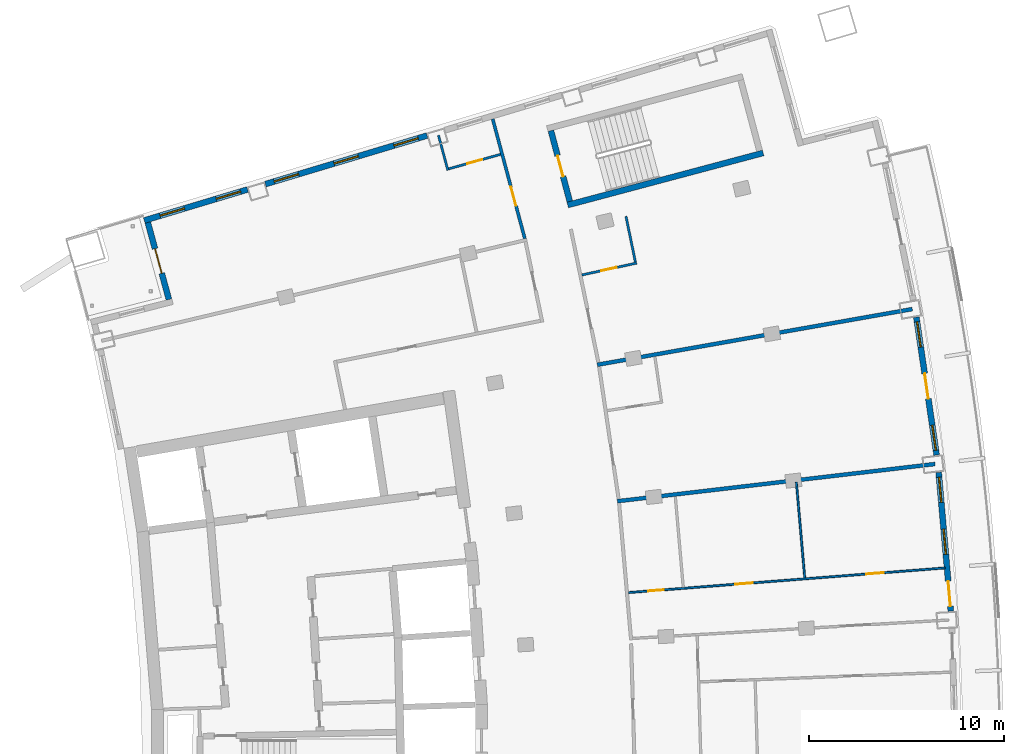
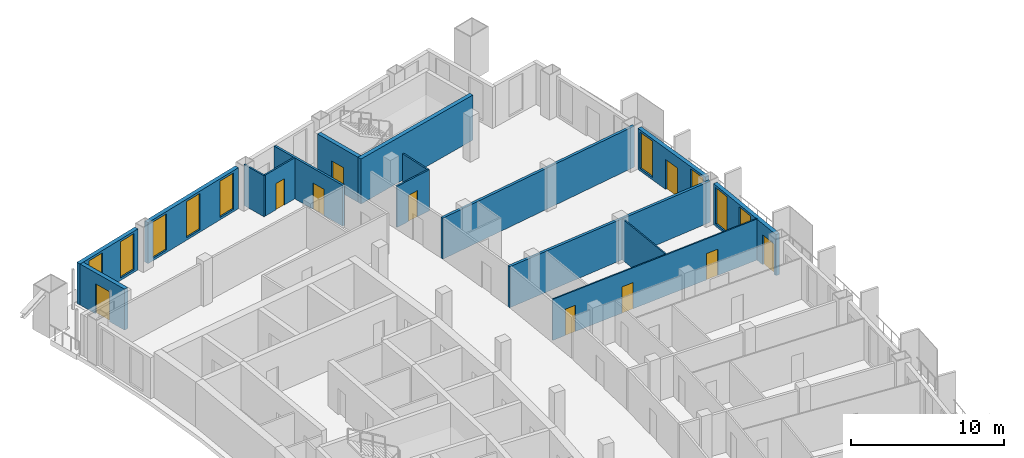
# One storey, part 14 of 18: 16 walls, 10 doors, 9 windows, 19 openings.
"""IFC4 building model written with IfcOpenShell, lengths in metres."""

import ifcopenshell
import ifcopenshell.guid

model = None  # the IFC model being written
_history = None  # IfcOwnerHistory: only IFC2X3 demands one
_inside = {}  # id of a spatial element -> (the spatial element, [elements in it])
_under = {}  # id of a project, library or spatial element -> (it, [spatial elements below it])
_declared = {}  # id of a project -> (the project, [libraries it declares])
_typed = {}  # id of a type object -> (the type object, [elements of that type])
_made_of = {}  # id of a material, layer set ... -> (it, [elements and type objects made of it])


def new_model(schema):
    """Start an empty IFC model of exactly this schema.

    Asked for "IFC4X3", IfcOpenShell would pick the latest addendum, in which some entities
    have other attributes; the version numbers below select the first issue.
    IFC2X3 requires an IfcOwnerHistory on every rooted entity: one is made here for all.
    """
    global model, _history
    if schema == "IFC4X3":
        model = ifcopenshell.file(schema_version=(4, 3, 0, 0))
    else:
        model = ifcopenshell.file(schema=schema)
    _inside.clear()
    _under.clear()
    _declared.clear()
    _typed.clear()
    _made_of.clear()
    _history = None
    if model.schema == "IFC2X3":
        org = make("IfcOrganization", Name="unknown")
        user = make(
            "IfcPersonAndOrganization",
            ThePerson=make("IfcPerson", FamilyName="unknown"),
            TheOrganization=org,
        )
        app = make(
            "IfcApplication",
            ApplicationDeveloper=org,
            Version="unknown",
            ApplicationFullName="unknown",
            ApplicationIdentifier="unknown",
        )
        _history = make(
            "IfcOwnerHistory",
            OwningUser=user,
            OwningApplication=app,
            ChangeAction="ADDED",
            CreationDate=0,
        )
    return model


def make(cls, **values):
    """One entity of the class cls with the attributes given. An attribute that is None is left unset."""
    return model.create_entity(
        cls, **{name: value for name, value in values.items() if value is not None}
    )


def rooted(cls, **values):
    """An entity with a GlobalId (a new one), such as an element, a storey or a relation."""
    return make(cls, GlobalId=ifcopenshell.guid.new(), OwnerHistory=_history, **values)


def si_unit(unit_type, name, prefix=None):
    """IfcSIUnit, for example si_unit("LENGTHUNIT", "METRE", prefix="MILLI")."""
    return make("IfcSIUnit", UnitType=unit_type, Prefix=prefix, Name=name)


def assignment(units):
    """IfcUnitAssignment: the units of a project."""
    return None if units is None else make("IfcUnitAssignment", Units=units)


def point(xyz):
    """IfcCartesianPoint."""
    return None if xyz is None else make("IfcCartesianPoint", Coordinates=xyz)


def direction(xyz):
    """IfcDirection."""
    return None if xyz is None else make("IfcDirection", DirectionRatios=xyz)


def frame(location, z_axis=None, x_axis=None):
    """IfcAxis2Placement3D, a coordinate frame: its origin and axes. An axis left out is left unset."""
    return make(
        "IfcAxis2Placement3D",
        Location=point(location),
        Axis=direction(z_axis),
        RefDirection=direction(x_axis),
    )


def frame_2d(location, x_axis=None):
    """IfcAxis2Placement2D, a coordinate frame in the plane: its origin and x axis."""
    return make(
        "IfcAxis2Placement2D", Location=point(location), RefDirection=direction(x_axis)
    )


def origin():
    """The frame at (0, 0, 0) with its axes left unset."""
    return frame((0.0, 0.0, 0.0))


def place(relative_to, where):
    """IfcLocalPlacement: puts the frame where relative to a parent placement (None: the world)."""
    return make(
        "IfcLocalPlacement", PlacementRelTo=relative_to, RelativePlacement=where
    )


def context(
    kind, dimensions, precision=None, world=None, true_north=None, identifier=None
):
    """IfcGeometricRepresentationContext, for example the 3D "Model" context."""
    return make(
        "IfcGeometricRepresentationContext",
        ContextIdentifier=identifier,
        ContextType=kind,
        CoordinateSpaceDimension=dimensions,
        Precision=precision,
        WorldCoordinateSystem=world,
        TrueNorth=true_north,
    )


def subcontext(parent, identifier, kind, view, scale=None):
    """IfcGeometricRepresentationSubContext, for example "Body" below "Model"."""
    return make(
        "IfcGeometricRepresentationSubContext",
        ContextIdentifier=identifier,
        ContextType=kind,
        ParentContext=parent,
        TargetScale=scale,
        TargetView=view,
    )


def project(units=None, contexts=None):
    """IfcProject with its units and contexts."""
    return rooted(
        "IfcProject",
        Name="project",
        RepresentationContexts=contexts,
        UnitsInContext=assignment(units),
    )


def spatial(cls, under=None, at=None, **own):
    """A site, building, storey or space (cls), placed at a placement, below another one or the project."""
    s = rooted(cls, ObjectPlacement=at, **own)
    if under is not None:
        _under.setdefault(under.id(), (under, []))[1].append(s)
    return s


def profile(cls, at=None, kind="AREA", **sizes):
    """A parametric profile (cls). Its sizes go by their IFC names, for example OverallWidth=200.0."""
    return make(cls, ProfileType=kind, Position=at, **sizes)


def rectangle(**sizes):
    """IfcRectangleProfileDef."""
    return profile("IfcRectangleProfileDef", **sizes)


def extrude(swept, where, along, depth):
    """IfcExtrudedAreaSolid: the profile swept, set in the frame where, extruded along a direction by depth."""
    return make(
        "IfcExtrudedAreaSolid",
        SweptArea=swept,
        Position=where,
        ExtrudedDirection=direction(along),
        Depth=depth,
    )


def shape(context_of_items, identifier, shape_type, items):
    """IfcShapeRepresentation: the items that make up one representation, for example the "Body"."""
    return make(
        "IfcShapeRepresentation",
        ContextOfItems=context_of_items,
        RepresentationIdentifier=identifier,
        RepresentationType=shape_type,
        Items=items,
    )


def material(Name=None, Category=None):
    """IfcMaterial."""
    return make("IfcMaterial", Name=Name, Category=Category)


def layer(
    of_material, thickness, ventilated=None, Name=None, Category=None, Priority=None
):
    """IfcMaterialLayer: one layer of a wall or slab, of a material (None: an air gap)."""
    return make(
        "IfcMaterialLayer",
        Material=of_material,
        LayerThickness=thickness,
        IsVentilated=ventilated,
        Name=Name,
        Category=Category,
        Priority=Priority,
    )


def layer_set(layers, Name=None):
    """IfcMaterialLayerSet."""
    return make("IfcMaterialLayerSet", MaterialLayers=layers, LayerSetName=Name)


def made_of(thing, what):
    """Note that an element or type object is made of a material, layer set ...; save() writes the relation."""
    if what is not None:
        _made_of.setdefault(what.id(), (what, []))[1].append(thing)
    return thing


def type_object(cls, material=None, **own):
    """A type object (cls), such as IfcWallType, which elements share."""
    return made_of(rooted(cls, **own), material)


def element(
    cls,
    number,
    at=None,
    inside=None,
    cuts=None,
    type_object=None,
    material=None,
    context=None,
    identifier="Body",
    shape_type=None,
    held_by="IfcProductDefinitionShape",
    body=None,
    shapes=None,
    **own,
):
    """One element of the class cls, such as IfcWall. Its Tag is "e" and its number.

    at: its placement. inside: the storey or other place that contains it. cuts: it is an
    opening in that element (IfcRelVoidsElement). A single representation is given by context,
    identifier, shape_type and body (its items); several are given by shapes. held_by: the class
    of the entity that holds the representations. save() writes the other relations.
    """
    e = rooted(cls, Tag="e%d" % number, ObjectPlacement=at, **own)
    if body is not None:
        shapes = [shape(context, identifier, shape_type, body)]
    if shapes is not None:
        e.Representation = make(held_by, Representations=shapes)
    if inside is not None:
        _inside.setdefault(inside.id(), (inside, []))[1].append(e)
    if cuts is not None:
        rooted(
            "IfcRelVoidsElement", RelatingBuildingElement=cuts, RelatedOpeningElement=e
        )
    if type_object is not None:
        _typed.setdefault(type_object.id(), (type_object, []))[1].append(e)
    return made_of(e, material)


def fill(opening, filler):
    """IfcRelFillsElement: the door or window that sits in an opening."""
    return rooted(
        "IfcRelFillsElement",
        RelatingOpeningElement=opening,
        RelatedBuildingElement=filler,
    )


def aggregate(whole, parts):
    """IfcRelAggregates: a whole, such as a stair, and the parts it consists of."""
    return rooted("IfcRelAggregates", RelatingObject=whole, RelatedObjects=parts)


def save(model, path):
    """Write the relations noted so far, then the file.

    IfcRelAggregates (storeys below a building ...), IfcRelContainedInSpatialStructure (elements
    in a storey), IfcRelDefinesByType, IfcRelAssociatesMaterial and IfcRelDeclares: one each for
    every whole, place, type object, material and project.
    """
    for whole, parts in _under.values():
        aggregate(whole, parts)
    for where, things in _inside.values():
        rooted(
            "IfcRelContainedInSpatialStructure",
            RelatedElements=things,
            RelatingStructure=where,
        )
    for kind, things in _typed.values():
        rooted("IfcRelDefinesByType", RelatedObjects=things, RelatingType=kind)
    for what, things in _made_of.values():
        rooted("IfcRelAssociatesMaterial", RelatedObjects=things, RelatingMaterial=what)
    for by, libraries in _declared.values():
        rooted("IfcRelDeclares", RelatingContext=by, RelatedDefinitions=libraries)
    model.write(path)


model = new_model("IFC4")

# Units and contexts
model_context = context("Model", 3, precision=1e-05, world=origin(), true_north=direction((0.0, 1.0)))
body_context = subcontext(model_context, "Body", "Model", "MODEL_VIEW")
ifc_project = project(units=[si_unit("LENGTHUNIT", "METRE"), si_unit("AREAUNIT", "SQUARE_METRE"), si_unit("VOLUMEUNIT", "CUBIC_METRE"), si_unit("PLANEANGLEUNIT", "RADIAN"), si_unit("MASSUNIT", "GRAM", prefix="KILO")], contexts=[model_context])

# Site, building, storey
site_placement = place(None, origin())
site = spatial("IfcSite", under=ifc_project, at=site_placement, CompositionType="ELEMENT")
building_placement = place(site_placement, origin())
building = spatial("IfcBuilding", under=site, at=building_placement, Name="Alderwake Tower", CompositionType="ELEMENT")
storey_placement = place(building_placement, frame((0.0, 0.0, 225.199951171875)))
storey = spatial("IfcBuildingStorey", under=building, at=storey_placement, Name="L56", CompositionType="ELEMENT", Elevation=225.199951171875)

# Wall
ifc_material_1 = material(Name="Concrete C70/85", Category="concrete")
ifc_layer_1 = layer(ifc_material_1, 0.300048828125)
ifc_layer_set_1 = layer_set([ifc_layer_1], Name="Core wall stair enclosure 300 C70-85")
wall_type_1 = type_object("IfcWallType", Name="Core wall stair enclosure 300 C70-85", PredefinedType="SHEAR", material=ifc_layer_set_1)
wall_1_placement = place(storey_placement, frame((37.75390625, 90.268798828125, 0.0), z_axis=(0.0, 0.0, 1.0), x_axis=(0.966309214305, 0.257383958996, 0.0)))
element("IfcWall", 1, at=wall_1_placement, inside=storey, type_object=wall_type_1, Name="Core wall CW.084", PredefinedType="SHEAR", context=body_context, shape_type="SweptSolid", body=[
    extrude(rectangle(XDim=10.360107421875, YDim=0.300048828125, at=frame_2d((5.18017578125, 0.0))), origin(), (0.0, 0.0, 1.0), 3.60009765625),
])

# Wall, opening, door
wall_2_placement = place(storey_placement, frame((37.8603515625, 90.452392578125, 0.0), z_axis=(0.0, 0.0, 1.0), x_axis=(-0.257411420208, 0.966301899381, 0.0)))
wall_2 = element("IfcWall", 2, at=wall_2_placement, inside=storey, type_object=wall_type_1, Name="Core wall CW.083", PredefinedType="SHEAR", context=body_context, shape_type="SweptSolid", body=[
    extrude(rectangle(XDim=3.750244140625, YDim=0.300048828125, at=frame_2d((1.875, 0.0))), origin(), (0.0, 0.0, 1.0), 3.60009765625),
])
opening_1_placement = place(wall_2_placement, frame((1.324951171875, 0.0, 0.0)))
opening_1 = element("IfcOpeningElement", 3, at=opening_1_placement, cuts=wall_2, Name="Opening C062", PredefinedType="OPENING", context=body_context, shape_type="SweptSolid", body=[
    extrude(rectangle(XDim=1.10009765625, YDim=2.10009765625, at=frame_2d((0.550048828125, 1.050048828125))), frame((0.0, 0.159912109375, 0.0), z_axis=(0.0, -1.0, 0.0), x_axis=(1.0, 0.0, 0.0)), (0.0, 0.0, 1.0), 0.320068359375),
])
ifc_material_2 = material(Name="Steel-framed fire door leaf", Category="steel")
door_type_1 = type_object("IfcDoorType", Name="Core stair door 1100 fire-rated", OperationType="SINGLE_SWING_LEFT", PredefinedType="DOOR", material=ifc_material_2)
door_1_placement = place(opening_1_placement, origin())
door_1 = element("IfcDoor", 4, at=door_1_placement, inside=storey, type_object=door_type_1, Name="Stair door", OperationType="SINGLE_SWING_LEFT", OverallHeight=2.10009765625, OverallWidth=1.10009765625, PredefinedType="DOOR", context=body_context, shape_type="SweptSolid", body=[
    extrude(rectangle(XDim=1.10009765625, YDim=2.10009765625, at=frame_2d((0.550048828125, 1.050048828125))), frame((0.0, 0.02490234375, 0.0), z_axis=(0.0, -1.0, 0.0), x_axis=(1.0, 0.0, 0.0)), (0.0, 0.0, 1.0), 0.050048828125),
])
fill(opening_1, door_1)

ifc_material_3 = material(Name="Gypsum board on metal studs, rated")
ifc_layer_2 = layer(ifc_material_3, 0.159912109375)
ifc_layer_set_2 = layer_set([ifc_layer_2], Name="Corridor wall 160")
wall_type_2 = type_object("IfcWallType", Name="Corridor wall 160", PredefinedType="PARTITIONING", material=ifc_layer_set_2)
wall_3_placement = place(storey_placement, frame((35.55908203125, 88.54736328125, 0.0), z_axis=(0.0, 0.0, 1.0), x_axis=(-0.259486497004, 0.965746735885, 0.0)))
wall_3 = element("IfcWall", 5, at=wall_3_placement, inside=storey, type_object=wall_type_2, Name="WL/L56/W17", PredefinedType="PARTITIONING", context=body_context, shape_type="SweptSolid", body=[
    extrude(rectangle(XDim=6.346923828125, YDim=0.159912109375, at=frame_2d((3.17333984375, 0.0))), origin(), (0.0, 0.0, 1.0), 3.280029296875),
])
opening_2_placement = place(wall_3_placement, frame((1.74609375, 0.0, 0.0)))
opening_2 = element("IfcOpeningElement", 6, at=opening_2_placement, cuts=wall_3, Name="Opening R16-U10.1", PredefinedType="OPENING", context=body_context, shape_type="SweptSolid", body=[
    extrude(rectangle(XDim=1.0, YDim=2.10009765625, at=frame_2d((0.5, 1.050048828125))), frame((0.0, 0.08984375, 0.0), z_axis=(0.0, -1.0, 0.0), x_axis=(1.0, 0.0, 0.0)), (0.0, 0.0, 1.0), 0.179931640625),
])
ifc_material_4 = material(Name="Solid timber leaf in steel frame", Category="steel")
door_type_2 = type_object("IfcDoorType", Name="Flat entrance door 1000 fire-rated", OperationType="SINGLE_SWING_LEFT", PredefinedType="DOOR", material=ifc_material_4)
door_2_placement = place(opening_2_placement, origin())
door_2 = element("IfcDoor", 7, at=door_2_placement, inside=storey, type_object=door_type_2, Name="DR/L56/U10.1", OperationType="SINGLE_SWING_LEFT", OverallHeight=2.10009765625, OverallWidth=1.0, PredefinedType="DOOR", context=body_context, shape_type="SweptSolid", body=[
    extrude(rectangle(XDim=1.0, YDim=2.10009765625, at=frame_2d((0.5, 1.050048828125))), frame((0.0, 0.02490234375, 0.0), z_axis=(0.0, -1.0, 0.0), x_axis=(1.0, 0.0, 0.0)), (0.0, 0.0, 1.0), 0.050048828125),
])
fill(opening_2, door_2)

# Wall, openings, door, windows
ifc_material_5 = material(Name="Precast concrete C50/60 spandrel panel", Category="concrete")
ifc_layer_3 = layer(ifc_material_5, 0.300048828125)
ifc_layer_set_3 = layer_set([ifc_layer_3], Name="External wall EW1 Precast concrete C50/60 spandrel")
wall_type_3 = type_object("IfcWallType", Name="External wall EW1 Precast concrete C50/60 spandrel", PredefinedType="SOLIDWALL", material=ifc_layer_set_3)
wall_4_placement = place(storey_placement, frame((57.376708984375, 69.470703125, 0.0), z_axis=(0.0, 0.0, 1.0), x_axis=(-0.087372427007, 0.996175716929, 0.0)))
wall_4 = element("IfcWall", 8, at=wall_4_placement, inside=storey, type_object=wall_type_3, Name="External wall 17", PredefinedType="SOLIDWALL", context=body_context, shape_type="SweptSolid", body=[
    extrude(rectangle(XDim=7.1337890625, YDim=0.300048828125, at=frame_2d((3.56689453125, 0.0))), origin(), (0.0, 0.0, 1.0), 3.280029296875),
])
opening_3_placement = place(wall_4_placement, frame((0.24560546875, 0.0, 0.0)))
opening_3 = element("IfcOpeningElement", 9, at=opening_3_placement, cuts=wall_4, Name="Opening D06", PredefinedType="OPENING", context=body_context, shape_type="SweptSolid", body=[
    extrude(rectangle(XDim=1.300048828125, YDim=2.39990234375, at=frame_2d((0.64990234375, 1.199951171875))), frame((0.0, 0.159912109375, 0.0), z_axis=(0.0, -1.0, 0.0), x_axis=(1.0, 0.0, 0.0)), (0.0, 0.0, 1.0), 0.320068359375),
])
opening_4_placement = place(wall_4_placement, frame((2.916748046875, 0.0, 0.199951171875)))
opening_4 = element("IfcOpeningElement", 10, at=opening_4_placement, cuts=wall_4, Name="Opening W1", PredefinedType="OPENING", context=body_context, shape_type="SweptSolid", body=[
    extrude(rectangle(XDim=1.300048828125, YDim=2.89990234375, at=frame_2d((0.64990234375, 1.449951171875))), frame((0.0, 0.159912109375, 0.0), z_axis=(0.0, -1.0, 0.0), x_axis=(1.0, 0.0, 0.0)), (0.0, 0.0, 1.0), 0.320068359375),
])
opening_5_placement = place(wall_4_placement, frame((5.588134765625, 0.0, 0.199951171875)))
opening_5 = element("IfcOpeningElement", 11, at=opening_5_placement, cuts=wall_4, Name="Opening W1", PredefinedType="OPENING", context=body_context, shape_type="SweptSolid", body=[
    extrude(rectangle(XDim=1.300048828125, YDim=2.89990234375, at=frame_2d((0.64990234375, 1.449951171875))), frame((0.0, 0.159912109375, 0.0), z_axis=(0.0, -1.0, 0.0), x_axis=(1.0, 0.0, 0.0)), (0.0, 0.0, 1.0), 0.320068359375),
])
ifc_material_6 = material(Name="Bronze tinted glass in aluminium frame", Category="aluminium")
door_type_3 = type_object("IfcDoorType", Name="Balcony door BD sliding", OperationType="SLIDING_TO_LEFT", PredefinedType="DOOR", material=ifc_material_6)
door_3_placement = place(opening_3_placement, origin())
door_3 = element("IfcDoor", 12, at=door_3_placement, inside=storey, type_object=door_type_3, Name="Door D06", OperationType="SLIDING_TO_LEFT", OverallHeight=2.39990234375, OverallWidth=1.300048828125, PredefinedType="DOOR", context=body_context, shape_type="SweptSolid", body=[
    extrude(rectangle(XDim=1.300048828125, YDim=2.39990234375, at=frame_2d((0.64990234375, 1.199951171875))), frame((0.0, 0.02490234375, 0.0), z_axis=(0.0, -1.0, 0.0), x_axis=(1.0, 0.0, 0.0)), (0.0, 0.0, 1.0), 0.050048828125),
])
fill(opening_3, door_3)
ifc_material_7 = material(Name="Bronze tinted glass in aluminium frame", Category="aluminium")
window_type = type_object("IfcWindowType", Name="Window W1 tall fixed and vent", PartitioningType="DOUBLE_PANEL_VERTICAL", PredefinedType="WINDOW", material=ifc_material_7)
window_1_placement = place(opening_4_placement, origin())
window_1 = element("IfcWindow", 13, at=window_1_placement, inside=storey, type_object=window_type, Name="Window W1 tall fixed and vent", OverallHeight=2.89990234375, OverallWidth=1.300048828125, PartitioningType="DOUBLE_PANEL_VERTICAL", PredefinedType="WINDOW", context=body_context, shape_type="SweptSolid", body=[
    extrude(rectangle(XDim=1.300048828125, YDim=2.89990234375, at=frame_2d((0.64990234375, 1.449951171875))), frame((0.0, 0.030029296875, 0.0), z_axis=(0.0, -1.0, 0.0), x_axis=(1.0, 0.0, 0.0)), (0.0, 0.0, 1.0), 0.06005859375),
])
fill(opening_4, window_1)
window_2_placement = place(opening_5_placement, origin())
window_2 = element("IfcWindow", 14, at=window_2_placement, inside=storey, type_object=window_type, Name="Window W1 tall fixed and vent", OverallHeight=2.89990234375, OverallWidth=1.300048828125, PartitioningType="DOUBLE_PANEL_VERTICAL", PredefinedType="WINDOW", context=body_context, shape_type="SweptSolid", body=[
    extrude(rectangle(XDim=1.300048828125, YDim=2.89990234375, at=frame_2d((0.64990234375, 1.449951171875))), frame((0.0, 0.030029296875, 0.0), z_axis=(0.0, -1.0, 0.0), x_axis=(1.0, 0.0, 0.0)), (0.0, 0.0, 1.0), 0.06005859375),
])
fill(opening_5, window_2)

wall_5_placement = place(storey_placement, frame((56.649169921875, 77.465576171875, 0.0), z_axis=(0.0, 0.0, 1.0), x_axis=(-0.14531565173, 0.989385345233, 0.0)))
wall_5 = element("IfcWall", 15, at=wall_5_placement, inside=storey, type_object=wall_type_3, Name="External wall 18", PredefinedType="SOLIDWALL", context=body_context, shape_type="SweptSolid", body=[
    extrude(rectangle(XDim=7.133544921875, YDim=0.300048828125, at=frame_2d((3.56689453125, 0.0))), origin(), (0.0, 0.0, 1.0), 3.280029296875),
])
opening_6_placement = place(wall_5_placement, frame((0.24560546875, 0.0, 0.199951171875)))
opening_6 = element("IfcOpeningElement", 16, at=opening_6_placement, cuts=wall_5, Name="Opening W1", PredefinedType="OPENING", context=body_context, shape_type="SweptSolid", body=[
    extrude(rectangle(XDim=1.300048828125, YDim=2.89990234375, at=frame_2d((0.64990234375, 1.449951171875))), frame((0.0, 0.159912109375, 0.0), z_axis=(0.0, -1.0, 0.0), x_axis=(1.0, 0.0, 0.0)), (0.0, 0.0, 1.0), 0.320068359375),
])
opening_7_placement = place(wall_5_placement, frame((2.916748046875, 0.0, 0.0)))
opening_7 = element("IfcOpeningElement", 17, at=opening_7_placement, cuts=wall_5, Name="Opening D07", PredefinedType="OPENING", context=body_context, shape_type="SweptSolid", body=[
    extrude(rectangle(XDim=1.300048828125, YDim=2.39990234375, at=frame_2d((0.64990234375, 1.199951171875))), frame((0.0, 0.159912109375, 0.0), z_axis=(0.0, -1.0, 0.0), x_axis=(1.0, 0.0, 0.0)), (0.0, 0.0, 1.0), 0.320068359375),
])
opening_8_placement = place(wall_5_placement, frame((5.588134765625, 0.0, 0.199951171875)))
opening_8 = element("IfcOpeningElement", 18, at=opening_8_placement, cuts=wall_5, Name="Opening W1", PredefinedType="OPENING", context=body_context, shape_type="SweptSolid", body=[
    extrude(rectangle(XDim=1.300048828125, YDim=2.89990234375, at=frame_2d((0.64990234375, 1.449951171875))), frame((0.0, 0.159912109375, 0.0), z_axis=(0.0, -1.0, 0.0), x_axis=(1.0, 0.0, 0.0)), (0.0, 0.0, 1.0), 0.320068359375),
])
door_4_placement = place(opening_7_placement, origin())
door_4 = element("IfcDoor", 19, at=door_4_placement, inside=storey, type_object=door_type_3, Name="Door D07", OperationType="SLIDING_TO_LEFT", OverallHeight=2.39990234375, OverallWidth=1.300048828125, PredefinedType="DOOR", context=body_context, shape_type="SweptSolid", body=[
    extrude(rectangle(XDim=1.300048828125, YDim=2.39990234375, at=frame_2d((0.64990234375, 1.199951171875))), frame((0.0, 0.02490234375, 0.0), z_axis=(0.0, -1.0, 0.0), x_axis=(1.0, 0.0, 0.0)), (0.0, 0.0, 1.0), 0.050048828125),
])
fill(opening_7, door_4)
window_3_placement = place(opening_6_placement, origin())
window_3 = element("IfcWindow", 20, at=window_3_placement, inside=storey, type_object=window_type, Name="Window W1 tall fixed and vent", OverallHeight=2.89990234375, OverallWidth=1.300048828125, PartitioningType="DOUBLE_PANEL_VERTICAL", PredefinedType="WINDOW", context=body_context, shape_type="SweptSolid", body=[
    extrude(rectangle(XDim=1.300048828125, YDim=2.89990234375, at=frame_2d((0.64990234375, 1.449951171875))), frame((0.0, 0.030029296875, 0.0), z_axis=(0.0, -1.0, 0.0), x_axis=(1.0, 0.0, 0.0)), (0.0, 0.0, 1.0), 0.06005859375),
])
fill(opening_6, window_3)
window_4_placement = place(opening_8_placement, origin())
window_4 = element("IfcWindow", 21, at=window_4_placement, inside=storey, type_object=window_type, Name="Window W1 tall fixed and vent", OverallHeight=2.89990234375, OverallWidth=1.300048828125, PartitioningType="DOUBLE_PANEL_VERTICAL", PredefinedType="WINDOW", context=body_context, shape_type="SweptSolid", body=[
    extrude(rectangle(XDim=1.300048828125, YDim=2.89990234375, at=frame_2d((0.64990234375, 1.449951171875))), frame((0.0, 0.030029296875, 0.0), z_axis=(0.0, -1.0, 0.0), x_axis=(1.0, 0.0, 0.0)), (0.0, 0.0, 1.0), 0.06005859375),
])
fill(opening_8, window_4)

# Wall, openings, windows
ifc_material_8 = material(Name="Bronze metal cladding on lightweight framing")
ifc_layer_4 = layer(ifc_material_8, 0.300048828125)
ifc_layer_set_4 = layer_set([ifc_layer_4], Name="External wall EW2 bronze metal cladding")
wall_type_4 = type_object("IfcWallType", Name="External wall EW2 bronze metal cladding", PredefinedType="SOLIDWALL", material=ifc_layer_set_4)
wall_6_placement = place(storey_placement, frame((30.551513671875, 93.8251953125, 0.0), z_axis=(0.0, 0.0, 1.0), x_axis=(-0.957767198916, -0.287544766394, 0.0)))
wall_6 = element("IfcWall", 22, at=wall_6_placement, inside=storey, type_object=wall_type_4, Name="External wall 26", PredefinedType="SOLIDWALL", context=body_context, shape_type="SweptSolid", body=[
    extrude(rectangle(XDim=8.64599609375, YDim=0.300048828125, at=frame_2d((4.322998046875, 0.0))), origin(), (0.0, 0.0, 1.0), 3.280029296875),
])
opening_9_placement = place(wall_6_placement, frame((0.47314453125, 0.0, 0.199951171875)))
opening_9 = element("IfcOpeningElement", 23, at=opening_9_placement, cuts=wall_6, Name="Opening W1", PredefinedType="OPENING", context=body_context, shape_type="SweptSolid", body=[
    extrude(rectangle(XDim=1.300048828125, YDim=2.89990234375, at=frame_2d((0.64990234375, 1.449951171875))), frame((0.0, 0.159912109375, 0.0), z_axis=(0.0, -1.0, 0.0), x_axis=(1.0, 0.0, 0.0)), (0.0, 0.0, 1.0), 0.320068359375),
])
opening_10_placement = place(wall_6_placement, frame((3.673095703125, 0.0, 0.199951171875)))
opening_10 = element("IfcOpeningElement", 24, at=opening_10_placement, cuts=wall_6, Name="Opening W1", PredefinedType="OPENING", context=body_context, shape_type="SweptSolid", body=[
    extrude(rectangle(XDim=1.300048828125, YDim=2.89990234375, at=frame_2d((0.64990234375, 1.449951171875))), frame((0.0, 0.159912109375, 0.0), z_axis=(0.0, -1.0, 0.0), x_axis=(1.0, 0.0, 0.0)), (0.0, 0.0, 1.0), 0.320068359375),
])
opening_11_placement = place(wall_6_placement, frame((6.873291015625, 0.0, 0.199951171875)))
opening_11 = element("IfcOpeningElement", 25, at=opening_11_placement, cuts=wall_6, Name="Opening W1", PredefinedType="OPENING", context=body_context, shape_type="SweptSolid", body=[
    extrude(rectangle(XDim=1.300048828125, YDim=2.89990234375, at=frame_2d((0.64990234375, 1.449951171875))), frame((0.0, 0.159912109375, 0.0), z_axis=(0.0, -1.0, 0.0), x_axis=(1.0, 0.0, 0.0)), (0.0, 0.0, 1.0), 0.320068359375),
])
window_5_placement = place(opening_9_placement, origin())
window_5 = element("IfcWindow", 26, at=window_5_placement, inside=storey, type_object=window_type, Name="Window W1 tall fixed and vent", OverallHeight=2.89990234375, OverallWidth=1.300048828125, PartitioningType="DOUBLE_PANEL_VERTICAL", PredefinedType="WINDOW", context=body_context, shape_type="SweptSolid", body=[
    extrude(rectangle(XDim=1.300048828125, YDim=2.89990234375, at=frame_2d((0.64990234375, 1.449951171875))), frame((0.0, 0.030029296875, 0.0), z_axis=(0.0, -1.0, 0.0), x_axis=(1.0, 0.0, 0.0)), (0.0, 0.0, 1.0), 0.06005859375),
])
fill(opening_9, window_5)
window_6_placement = place(opening_10_placement, origin())
window_6 = element("IfcWindow", 27, at=window_6_placement, inside=storey, type_object=window_type, Name="Window W1 tall fixed and vent", OverallHeight=2.89990234375, OverallWidth=1.300048828125, PartitioningType="DOUBLE_PANEL_VERTICAL", PredefinedType="WINDOW", context=body_context, shape_type="SweptSolid", body=[
    extrude(rectangle(XDim=1.300048828125, YDim=2.89990234375, at=frame_2d((0.64990234375, 1.449951171875))), frame((0.0, 0.030029296875, 0.0), z_axis=(0.0, -1.0, 0.0), x_axis=(1.0, 0.0, 0.0)), (0.0, 0.0, 1.0), 0.06005859375),
])
fill(opening_10, window_6)
window_7_placement = place(opening_11_placement, origin())
window_7 = element("IfcWindow", 28, at=window_7_placement, inside=storey, type_object=window_type, Name="Window W1 tall fixed and vent", OverallHeight=2.89990234375, OverallWidth=1.300048828125, PartitioningType="DOUBLE_PANEL_VERTICAL", PredefinedType="WINDOW", context=body_context, shape_type="SweptSolid", body=[
    extrude(rectangle(XDim=1.300048828125, YDim=2.89990234375, at=frame_2d((0.64990234375, 1.449951171875))), frame((0.0, 0.030029296875, 0.0), z_axis=(0.0, -1.0, 0.0), x_axis=(1.0, 0.0, 0.0)), (0.0, 0.0, 1.0), 0.06005859375),
])
fill(opening_11, window_7)

wall_7_placement = place(storey_placement, frame((21.356689453125, 91.064697265625, 0.0), z_axis=(0.0, 0.0, 1.0), x_axis=(-0.957772749247, -0.287526278451, 0.0)))
wall_7 = element("IfcWall", 29, at=wall_7_placement, inside=storey, type_object=wall_type_4, Name="External wall 27", PredefinedType="SOLIDWALL", context=body_context, shape_type="SweptSolid", body=[
    extrude(rectangle(XDim=5.524169921875, YDim=0.300048828125, at=frame_2d((2.76220703125, 0.0))), origin(), (0.0, 0.0, 1.0), 3.280029296875),
])
opening_12_placement = place(wall_7_placement, frame((0.373291015625, 0.0, 0.199951171875)))
opening_12 = element("IfcOpeningElement", 30, at=opening_12_placement, cuts=wall_7, Name="Opening W1", PredefinedType="OPENING", context=body_context, shape_type="SweptSolid", body=[
    extrude(rectangle(XDim=1.300048828125, YDim=2.89990234375, at=frame_2d((0.64990234375, 1.449951171875))), frame((0.0, 0.159912109375, 0.0), z_axis=(0.0, -1.0, 0.0), x_axis=(1.0, 0.0, 0.0)), (0.0, 0.0, 1.0), 0.320068359375),
])
opening_13_placement = place(wall_7_placement, frame((3.3740234375, 0.0, 0.199951171875)))
opening_13 = element("IfcOpeningElement", 31, at=opening_13_placement, cuts=wall_7, Name="Opening W1", PredefinedType="OPENING", context=body_context, shape_type="SweptSolid", body=[
    extrude(rectangle(XDim=1.300048828125, YDim=2.89990234375, at=frame_2d((0.64990234375, 1.449951171875))), frame((0.0, 0.159912109375, 0.0), z_axis=(0.0, -1.0, 0.0), x_axis=(1.0, 0.0, 0.0)), (0.0, 0.0, 1.0), 0.320068359375),
])
window_8_placement = place(opening_12_placement, origin())
window_8 = element("IfcWindow", 32, at=window_8_placement, inside=storey, type_object=window_type, Name="Window W1 tall fixed and vent", OverallHeight=2.89990234375, OverallWidth=1.300048828125, PartitioningType="DOUBLE_PANEL_VERTICAL", PredefinedType="WINDOW", context=body_context, shape_type="SweptSolid", body=[
    extrude(rectangle(XDim=1.300048828125, YDim=2.89990234375, at=frame_2d((0.64990234375, 1.449951171875))), frame((0.0, 0.030029296875, 0.0), z_axis=(0.0, -1.0, 0.0), x_axis=(1.0, 0.0, 0.0)), (0.0, 0.0, 1.0), 0.06005859375),
])
fill(opening_12, window_8)
window_9_placement = place(opening_13_placement, origin())
window_9 = element("IfcWindow", 33, at=window_9_placement, inside=storey, type_object=window_type, Name="Window W1 tall fixed and vent", OverallHeight=2.89990234375, OverallWidth=1.300048828125, PartitioningType="DOUBLE_PANEL_VERTICAL", PredefinedType="WINDOW", context=body_context, shape_type="SweptSolid", body=[
    extrude(rectangle(XDim=1.300048828125, YDim=2.89990234375, at=frame_2d((0.64990234375, 1.449951171875))), frame((0.0, 0.030029296875, 0.0), z_axis=(0.0, -1.0, 0.0), x_axis=(1.0, 0.0, 0.0)), (0.0, 0.0, 1.0), 0.06005859375),
])
fill(opening_13, window_9)

# Wall, opening, door
wall_8_placement = place(storey_placement, frame((16.248779296875, 89.374755859375, 0.0), z_axis=(0.0, 0.0, 1.0), x_axis=(0.264607053468, -0.964356317579, 0.0)))
wall_8 = element("IfcWall", 34, at=wall_8_placement, inside=storey, type_object=wall_type_4, Name="External wall 28", PredefinedType="SOLIDWALL", context=body_context, shape_type="SweptSolid", body=[
    extrude(rectangle(XDim=4.090087890625, YDim=0.300048828125, at=frame_2d((2.044921875, 0.0))), origin(), (0.0, 0.0, 1.0), 3.280029296875),
])
opening_14_placement = place(wall_8_placement, frame((1.39501953125, 0.0, 0.0)))
opening_14 = element("IfcOpeningElement", 35, at=opening_14_placement, cuts=wall_8, Name="Opening D09", PredefinedType="OPENING", context=body_context, shape_type="SweptSolid", body=[
    extrude(rectangle(XDim=1.300048828125, YDim=2.39990234375, at=frame_2d((0.64990234375, 1.199951171875))), frame((0.0, 0.159912109375, 0.0), z_axis=(0.0, -1.0, 0.0), x_axis=(1.0, 0.0, 0.0)), (0.0, 0.0, 1.0), 0.320068359375),
])
door_5_placement = place(opening_14_placement, origin())
door_5 = element("IfcDoor", 36, at=door_5_placement, inside=storey, type_object=door_type_3, Name="Door D09", OperationType="SLIDING_TO_LEFT", OverallHeight=2.39990234375, OverallWidth=1.300048828125, PredefinedType="DOOR", context=body_context, shape_type="SweptSolid", body=[
    extrude(rectangle(XDim=1.300048828125, YDim=2.39990234375, at=frame_2d((0.64990234375, 1.199951171875))), frame((0.0, 0.02490234375, 0.0), z_axis=(0.0, -1.0, 0.0), x_axis=(1.0, 0.0, 0.0)), (0.0, 0.0, 1.0), 0.050048828125),
])
fill(opening_14, door_5)

# Walls
ifc_material_9 = material(Name="Dense block masonry wall", Category="masonry")
ifc_layer_5 = layer(ifc_material_9, 0.199951171875)
ifc_layer_set_5 = layer_set([ifc_layer_5], Name="Party wall 200")
wall_type_5 = type_object("IfcWallType", Name="Party wall 200", PredefinedType="SOLIDWALL", material=ifc_layer_set_5)
wall_9_placement = place(storey_placement, frame((40.297607421875, 75.0986328125, 0.0), z_axis=(0.0, 0.0, 1.0), x_axis=(0.993210909996, 0.116327504339, 0.0)))
element("IfcWall", 37, at=wall_9_placement, inside=storey, type_object=wall_type_5, Name="WL/L56/W01", PredefinedType="SOLIDWALL", context=body_context, shape_type="SweptSolid", body=[
    extrude(rectangle(XDim=16.37841796875, YDim=0.199951171875, at=frame_2d((8.189208984375, 0.0))), origin(), (0.0, 0.0, 1.0), 3.280029296875),
])
wall_10_placement = place(storey_placement, frame((55.40087890625, 84.93896484375, 0.0), z_axis=(0.0, 0.0, 1.0), x_axis=(-0.984730701912, -0.174084590678, 0.0)))
element("IfcWall", 38, at=wall_10_placement, inside=storey, type_object=wall_type_5, Name="WL/L56/W02", PredefinedType="SOLIDWALL", context=body_context, shape_type="SweptSolid", body=[
    extrude(rectangle(XDim=16.3818359375, YDim=0.199951171875, at=frame_2d((8.19091796875, 0.0))), origin(), (0.0, 0.0, 1.0), 3.280029296875),
])

# Wall, openings, doors
ifc_material_10 = material(Name="Gypsum board on metal studs")
ifc_layer_6 = layer(ifc_material_10, 0.10009765625)
ifc_layer_set_6 = layer_set([ifc_layer_6], Name="Unit partition 100")
wall_type_6 = type_object("IfcWallType", Name="Unit partition 100", PredefinedType="PARTITIONING", material=ifc_layer_set_6)
wall_11_placement = place(storey_placement, frame((40.867919921875, 70.419189453125, 0.0), z_axis=(0.0, 0.0, 1.0), x_axis=(0.996981000907, 0.077645887405, 0.0)))
wall_11 = element("IfcWall", 39, at=wall_11_placement, inside=storey, type_object=wall_type_6, Name="WL/L56/W48", PredefinedType="PARTITIONING", context=body_context, shape_type="SweptSolid", body=[
    extrude(rectangle(XDim=16.26220703125, YDim=0.10009765625, at=frame_2d((8.131103515625, 0.0))), origin(), (0.0, 0.0, 1.0), 3.280029296875),
])
opening_15_placement = place(wall_11_placement, frame((5.4892578125, 0.0, 0.0)))
opening_15 = element("IfcOpeningElement", 40, at=opening_15_placement, cuts=wall_11, Name="Opening R16-U06.5", PredefinedType="OPENING", context=body_context, shape_type="SweptSolid", body=[
    extrude(rectangle(XDim=0.89990234375, YDim=2.10009765625, at=frame_2d((0.449951171875, 1.050048828125))), frame((0.0, 0.06005859375, 0.0), z_axis=(0.0, -1.0, 0.0), x_axis=(1.0, 0.0, 0.0)), (0.0, 0.0, 1.0), 0.1201171875),
])
opening_16_placement = place(wall_11_placement, frame((1.009521484375, 0.0, 0.0)))
opening_16 = element("IfcOpeningElement", 41, at=opening_16_placement, cuts=wall_11, Name="Opening R16-U06.6", PredefinedType="OPENING", context=body_context, shape_type="SweptSolid", body=[
    extrude(rectangle(XDim=0.800048828125, YDim=2.10009765625, at=frame_2d((0.39990234375, 1.050048828125))), frame((0.0, 0.06005859375, 0.0), z_axis=(0.0, -1.0, 0.0), x_axis=(1.0, 0.0, 0.0)), (0.0, 0.0, 1.0), 0.1201171875),
])
opening_17_placement = place(wall_11_placement, frame((12.211181640625, 0.0, 0.0)))
opening_17 = element("IfcOpeningElement", 42, at=opening_17_placement, cuts=wall_11, Name="Opening R16-U06.7", PredefinedType="OPENING", context=body_context, shape_type="SweptSolid", body=[
    extrude(rectangle(XDim=0.89990234375, YDim=2.10009765625, at=frame_2d((0.449951171875, 1.050048828125))), frame((0.0, 0.06005859375, 0.0), z_axis=(0.0, -1.0, 0.0), x_axis=(1.0, 0.0, 0.0)), (0.0, 0.0, 1.0), 0.1201171875),
])
ifc_material_11 = material(Name="Painted timber leaf", Category="wood")
door_type_4 = type_object("IfcDoorType", Name="Bathroom door 800", OperationType="SINGLE_SWING_LEFT", PredefinedType="DOOR", material=ifc_material_11)
door_6_placement = place(opening_16_placement, origin())
door_6 = element("IfcDoor", 43, at=door_6_placement, inside=storey, type_object=door_type_4, Name="DR/L56/U06.6", OperationType="SINGLE_SWING_LEFT", OverallHeight=2.10009765625, OverallWidth=0.800048828125, PredefinedType="DOOR", context=body_context, shape_type="SweptSolid", body=[
    extrude(rectangle(XDim=0.800048828125, YDim=2.10009765625, at=frame_2d((0.39990234375, 1.050048828125))), frame((0.0, 0.02490234375, 0.0), z_axis=(0.0, -1.0, 0.0), x_axis=(1.0, 0.0, 0.0)), (0.0, 0.0, 1.0), 0.050048828125),
])
fill(opening_16, door_6)
ifc_material_12 = material(Name="Painted timber leaf", Category="wood")
door_type_5 = type_object("IfcDoorType", Name="Room door 900", OperationType="SINGLE_SWING_LEFT", PredefinedType="DOOR", material=ifc_material_12)
door_7_placement = place(opening_15_placement, origin())
door_7 = element("IfcDoor", 44, at=door_7_placement, inside=storey, type_object=door_type_5, Name="DR/L56/U06.5", OperationType="SINGLE_SWING_LEFT", OverallHeight=2.10009765625, OverallWidth=0.89990234375, PredefinedType="DOOR", context=body_context, shape_type="SweptSolid", body=[
    extrude(rectangle(XDim=0.89990234375, YDim=2.10009765625, at=frame_2d((0.449951171875, 1.050048828125))), frame((0.0, 0.02490234375, 0.0), z_axis=(0.0, -1.0, 0.0), x_axis=(1.0, 0.0, 0.0)), (0.0, 0.0, 1.0), 0.050048828125),
])
fill(opening_15, door_7)
door_8_placement = place(opening_17_placement, origin())
door_8 = element("IfcDoor", 45, at=door_8_placement, inside=storey, type_object=door_type_5, Name="DR/L56/U06.7", OperationType="SINGLE_SWING_LEFT", OverallHeight=2.10009765625, OverallWidth=0.89990234375, PredefinedType="DOOR", context=body_context, shape_type="SweptSolid", body=[
    extrude(rectangle(XDim=0.89990234375, YDim=2.10009765625, at=frame_2d((0.449951171875, 1.050048828125))), frame((0.0, 0.02490234375, 0.0), z_axis=(0.0, -1.0, 0.0), x_axis=(1.0, 0.0, 0.0)), (0.0, 0.0, 1.0), 0.050048828125),
])
fill(opening_17, door_8)

# Walls
wall_12_placement = place(storey_placement, frame((49.89453125, 71.173828125, 0.0), z_axis=(0.0, 0.0, 1.0), x_axis=(-0.086972353557, 0.996210725558, 0.0)))
element("IfcWall", 46, at=wall_12_placement, inside=storey, type_object=wall_type_6, Name="WL/L56/W54", PredefinedType="PARTITIONING", context=body_context, shape_type="SweptSolid", body=[
    extrude(rectangle(XDim=4.91796875, YDim=0.10009765625, at=frame_2d((2.458984375, 0.0))), origin(), (0.0, 0.0, 1.0), 3.280029296875),
])
ifc_material_13 = material(Name="Moisture resistant gypsum board on metal studs")
ifc_layer_7 = layer(ifc_material_13, 0.1201171875)
ifc_layer_set_7 = layer_set([ifc_layer_7], Name="Wet room partition 120")
wall_type_7 = type_object("IfcWallType", Name="Wet room partition 120", PredefinedType="PARTITIONING", material=ifc_layer_set_7)
wall_13_placement = place(storey_placement, frame((31.134033203125, 93.843017578125, 0.0), z_axis=(0.0, 0.0, 1.0), x_axis=(0.260171283127, -0.965562480338, 0.0)))
element("IfcWall", 47, at=wall_13_placement, inside=storey, type_object=wall_type_7, Name="WL/L56/W31", PredefinedType="PARTITIONING", context=body_context, shape_type="SweptSolid", body=[
    extrude(rectangle(XDim=1.85888671875, YDim=0.1201171875, at=frame_2d((0.929443359375, 0.0))), origin(), (0.0, 0.0, 1.0), 3.280029296875),
])

# Wall, opening, door
wall_14_placement = place(storey_placement, frame((31.659912109375, 92.1220703125, 0.0), z_axis=(0.0, 0.0, 1.0), x_axis=(0.963132887742, 0.269026096411, 0.0)))
wall_14 = element("IfcWall", 48, at=wall_14_placement, inside=storey, type_object=wall_type_7, Name="WL/L56/W33", PredefinedType="PARTITIONING", context=body_context, shape_type="SweptSolid", body=[
    extrude(rectangle(XDim=2.759765625, YDim=0.1201171875, at=frame_2d((1.3798828125, 0.0))), origin(), (0.0, 0.0, 1.0), 3.280029296875),
])
opening_18_placement = place(wall_14_placement, frame((0.97998046875, 0.0, 0.0)))
opening_18 = element("IfcOpeningElement", 49, at=opening_18_placement, cuts=wall_14, Name="Opening R16-U10.2", PredefinedType="OPENING", context=body_context, shape_type="SweptSolid", body=[
    extrude(rectangle(XDim=0.800048828125, YDim=2.10009765625, at=frame_2d((0.39990234375, 1.050048828125))), frame((0.0, 0.070068359375, 0.0), z_axis=(0.0, -1.0, 0.0), x_axis=(1.0, 0.0, 0.0)), (0.0, 0.0, 1.0), 0.14013671875),
])
door_9_placement = place(opening_18_placement, origin())
door_9 = element("IfcDoor", 50, at=door_9_placement, inside=storey, type_object=door_type_4, Name="DR/L56/U10.2", OperationType="SINGLE_SWING_LEFT", OverallHeight=2.10009765625, OverallWidth=0.800048828125, PredefinedType="DOOR", context=body_context, shape_type="SweptSolid", body=[
    extrude(rectangle(XDim=0.800048828125, YDim=2.10009765625, at=frame_2d((0.39990234375, 1.050048828125))), frame((0.0, 0.02490234375, 0.0), z_axis=(0.0, -1.0, 0.0), x_axis=(1.0, 0.0, 0.0)), (0.0, 0.0, 1.0), 0.050048828125),
])
fill(opening_18, door_9)

wall_15_placement = place(storey_placement, frame((38.481201171875, 86.68701171875, 0.0), z_axis=(0.0, 0.0, 1.0), x_axis=(0.97723527817, 0.212158457526, 0.0)))
wall_15 = element("IfcWall", 51, at=wall_15_placement, inside=storey, type_object=wall_type_7, Name="WL/L56/W35", PredefinedType="PARTITIONING", context=body_context, shape_type="SweptSolid", body=[
    extrude(rectangle(XDim=2.8779296875, YDim=0.1201171875, at=frame_2d((1.43896484375, 0.0))), origin(), (0.0, 0.0, 1.0), 3.280029296875),
])
opening_19_placement = place(wall_15_placement, frame((1.009521484375, 0.0, 0.0)))
opening_19 = element("IfcOpeningElement", 52, at=opening_19_placement, cuts=wall_15, Name="Opening R16-U08.2", PredefinedType="OPENING", context=body_context, shape_type="SweptSolid", body=[
    extrude(rectangle(XDim=0.800048828125, YDim=2.10009765625, at=frame_2d((0.39990234375, 1.050048828125))), frame((0.0, 0.070068359375, 0.0), z_axis=(0.0, -1.0, 0.0), x_axis=(1.0, 0.0, 0.0)), (0.0, 0.0, 1.0), 0.14013671875),
])
door_10_placement = place(opening_19_placement, origin())
door_10 = element("IfcDoor", 53, at=door_10_placement, inside=storey, type_object=door_type_4, Name="DR/L56/U08.2", OperationType="SINGLE_SWING_LEFT", OverallHeight=2.10009765625, OverallWidth=0.800048828125, PredefinedType="DOOR", context=body_context, shape_type="SweptSolid", body=[
    extrude(rectangle(XDim=0.800048828125, YDim=2.10009765625, at=frame_2d((0.39990234375, 1.050048828125))), frame((0.0, 0.02490234375, 0.0), z_axis=(0.0, -1.0, 0.0), x_axis=(1.0, 0.0, 0.0)), (0.0, 0.0, 1.0), 0.050048828125),
])
fill(opening_19, door_10)

# Wall
wall_16_placement = place(storey_placement, frame((41.222900390625, 87.34375, 0.0), z_axis=(0.0, 0.0, 1.0), x_axis=(-0.202430686623, 0.979296593026, 0.0)))
element("IfcWall", 54, at=wall_16_placement, inside=storey, type_object=wall_type_7, Name="WL/L56/W37", PredefinedType="PARTITIONING", context=body_context, shape_type="SweptSolid", body=[
    extrude(rectangle(XDim=2.400146484375, YDim=0.1201171875, at=frame_2d((1.2001953125, 0.0))), origin(), (0.0, 0.0, 1.0), 3.280029296875),
])

save(model, "model.ifc")
